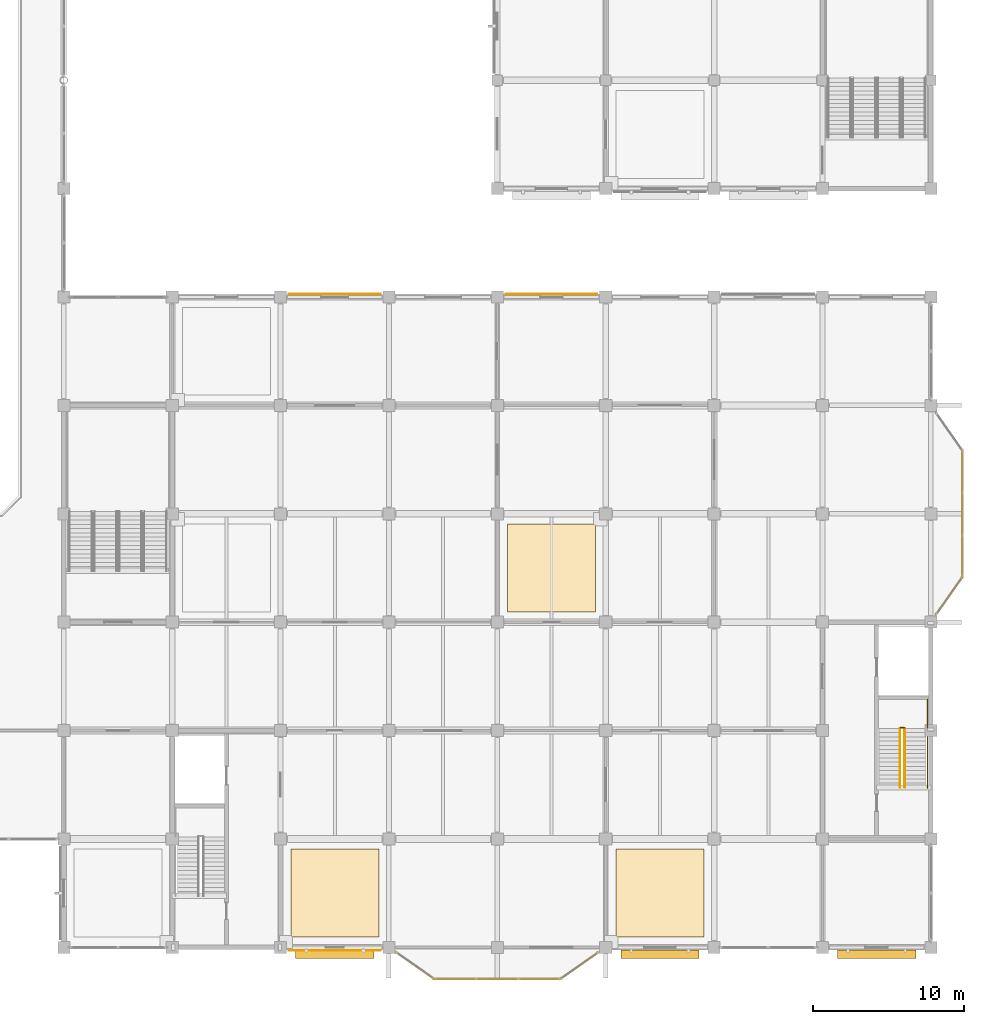
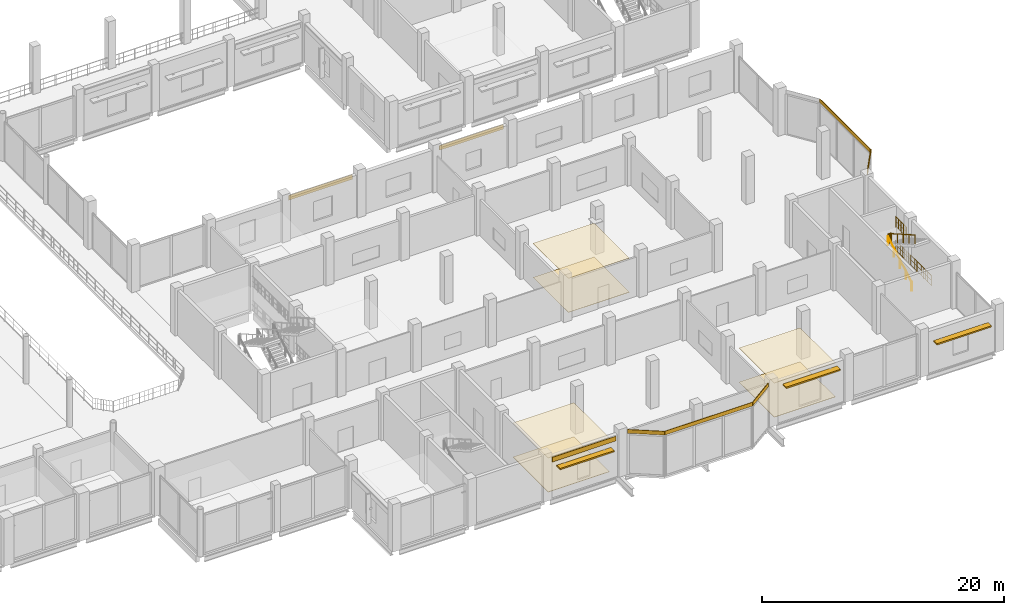
# One storey, part 94 of 99: 14 coverings, 5 railings, 3 shading devices.
"""IFC4 building model written with IfcOpenShell, lengths in metres."""

from ifc_helpers import new_model, si_unit, direction, frame, frame_2d, origin, origin_2d, place, context, subcontext, project, spatial, polyline, rectangle, circle, outline, extrude, material, layer, layer_set, type_object, element, save


model = new_model("IFC4")

# Units and contexts
model_context = context("Model", 3, precision=1e-05, world=origin(), true_north=direction((0.0, 1.0)))
body_context = subcontext(model_context, "Body", "Model", "MODEL_VIEW")
ifc_project = project(units=[si_unit("LENGTHUNIT", "METRE"), si_unit("AREAUNIT", "SQUARE_METRE"), si_unit("VOLUMEUNIT", "CUBIC_METRE"), si_unit("PLANEANGLEUNIT", "RADIAN"), si_unit("MASSUNIT", "GRAM", prefix="KILO")], contexts=[model_context])

# Site, building, storey
site_placement = place(None, origin())
site = spatial("IfcSite", under=ifc_project, at=site_placement, CompositionType="ELEMENT")
building_placement = place(site_placement, origin())
building = spatial("IfcBuilding", under=site, at=building_placement, Name="Vesperath Aquatics Centre", CompositionType="ELEMENT")
storey_placement = place(building_placement, frame((0.0, 0.0, 5.39990234375)))
storey = spatial("IfcBuildingStorey", under=building, at=storey_placement, Name="L01", CompositionType="ELEMENT", Elevation=5.39990234375)

# Coverings
ifc_material_1 = material(Name="Teal and ochre glazed ceramic majolica frieze", Category="ceramic")
ifc_layer_1 = layer(ifc_material_1, 0.0400390625)
ifc_layer_set_1 = layer_set([ifc_layer_1], Name="Teal and ochre glazed ceramic majolica frieze")
covering_type_1 = type_object("IfcCoveringType", Name="CV-CLD01", PredefinedType="CLADDING", material=ifc_layer_set_1)
for number, where, z_axis, x_axis, name in (
    (1, (130.14990234375, -0.199951171875, 3.64013671875), (0.0, 0.0, 1.0), (1.0, 0.0, 0.0), "Majolica Ceramic Frieze CLD1 L01_S_18_00"),
    (2, (130.14990234375, 43.39990234375, 3.64013671875), (0.0, 0.0, 1.0), (1.0, 0.0, 0.0), "Majolica Ceramic Frieze CLD1 L01_N_18_06"),
):
    element("IfcCovering", number, at=place(storey_placement, frame(where, z_axis=z_axis, x_axis=x_axis)), inside=storey, type_object=covering_type_1, Name=name, PredefinedType="CLADDING", context=body_context, shape_type="SweptSolid", body=[
        extrude(rectangle(XDim=6.10009765625, YDim=0.0400390625, at=frame_2d((3.050048828125, 0.0))), origin(), (0.0, 0.0, 1.0), 0.469970703125),
    ])
covering_1_placement = place(storey_placement, frame((144.550048828125, 43.409912109375, 3.64013671875), z_axis=(0.0, 0.0, 1.0), x_axis=(1.0, 0.0, 0.0)))
element("IfcCovering", 3, at=covering_1_placement, inside=storey, type_object=covering_type_1, Name="Majolica Ceramic Frieze CLD1 L01_N_20_06", PredefinedType="CLADDING", context=body_context, shape_type="SweptSolid", body=[
    extrude(rectangle(XDim=6.099853515625, YDim=0.0400390625, at=frame_2d((3.0498046875, 0.0))), origin(), (0.0, 0.0, 1.0), 0.469970703125),
])
covering_2_placement = place(storey_placement, frame((137.280029296875, -0.3359375, 4.14013671875), z_axis=(0.0, 0.0, 1.0), x_axis=(0.819209548444, -0.573494303144, 0.0)))
element("IfcCovering", 4, at=covering_2_placement, inside=storey, type_object=covering_type_1, Name="South Bow Oriel Majolica Frieze CLD1 L01-W", PredefinedType="CLADDING", context=body_context, shape_type="SweptSolid", body=[
    extrude(rectangle(XDim=3.076171875, YDim=0.050048828125, at=frame_2d((1.5380859375, 0.0))), origin(), (0.0, 0.0, 1.0), 0.3798828125),
])
covering_3_placement = place(storey_placement, frame((139.800048828125, -2.10009765625, 4.14013671875), z_axis=(0.0, 0.0, 1.0), x_axis=(1.0, 0.0, 0.0)))
element("IfcCovering", 5, at=covering_3_placement, inside=storey, type_object=covering_type_1, Name="South Bow Oriel Majolica Frieze CLD1 L01-C", PredefinedType="CLADDING", context=body_context, shape_type="SweptSolid", body=[
    extrude(rectangle(XDim=8.39990234375, YDim=0.050048828125, at=frame_2d((4.199951171875, 0.0))), origin(), (0.0, 0.0, 1.0), 0.3798828125),
])
covering_4_placement = place(storey_placement, frame((148.199951171875, -2.10009765625, 4.14013671875), z_axis=(0.0, 0.0, 1.0), x_axis=(0.819209548444, 0.573494303144, 0.0)))
element("IfcCovering", 6, at=covering_4_placement, inside=storey, type_object=covering_type_1, Name="South Bow Oriel Majolica Frieze CLD1 L01-E", PredefinedType="CLADDING", context=body_context, shape_type="SweptSolid", body=[
    extrude(rectangle(XDim=3.076171875, YDim=0.050048828125, at=frame_2d((1.5380859375, 0.0))), origin(), (0.0, 0.0, 1.0), 0.3798828125),
])
covering_5_placement = place(storey_placement, frame((173.135986328125, 22.080078125, 4.14013671875), z_axis=(0.0, 0.0, 1.0), x_axis=(0.573441037055, 0.819246835222, 0.0)))
element("IfcCovering", 7, at=covering_5_placement, inside=storey, type_object=covering_type_1, Name="East Bow Oriel Majolica Frieze CLD1 L01-S", PredefinedType="CLADDING", context=body_context, shape_type="SweptSolid", body=[
    extrude(rectangle(XDim=3.075927734375, YDim=0.050048828125, at=frame_2d((1.5380859375, 0.0))), origin(), (0.0, 0.0, 1.0), 0.3798828125),
])
covering_6_placement = place(storey_placement, frame((174.89990234375, 24.60009765625, 4.14013671875), z_axis=(0.0, 0.0, 1.0), x_axis=(0.0, 1.0, 0.0)))
element("IfcCovering", 8, at=covering_6_placement, inside=storey, type_object=covering_type_1, Name="East Bow Oriel Majolica Frieze CLD1 L01-C", PredefinedType="CLADDING", context=body_context, shape_type="SweptSolid", body=[
    extrude(rectangle(XDim=8.39990234375, YDim=0.050048828125, at=frame_2d((4.199951171875, 0.0))), origin(), (0.0, 0.0, 1.0), 0.3798828125),
])
ifc_material_2 = material(Name="Perforated moisture-resistant acoustic mineral-fibre ceiling", Category="gypsum")
ifc_layer_2 = layer(ifc_material_2, 0.044921875)
ifc_layer_set_2 = layer_set([ifc_layer_2], Name="Perforated moisture-resistant acoustic mineral-fibre ceiling")
covering_type_2 = type_object("IfcCoveringType", Name="CV-CLG01", PredefinedType="CEILING", material=ifc_layer_set_2)
covering_7_placement = place(storey_placement, frame((0.0, 0.0, 3.425048828125)))
element("IfcCovering", 9, at=covering_7_placement, inside=storey, type_object=covering_type_2, Name="Acoustic Suspended Ceiling CLG1 L01_PHYSIO_1", PredefinedType="CEILING", context=body_context, shape_type="SweptSolid", body=[
    extrude(outline(polyline([(130.280029296875, 0.679931640625), (136.1201171875, 0.679931640625), (136.1201171875, 6.52001953125), (130.280029296875, 6.52001953125), (130.280029296875, 0.679931640625)])), origin(), (0.0, 0.0, 1.0), 0.045166015625),
])
covering_8_placement = place(storey_placement, frame((0.0, 0.0, 3.425048828125)))
element("IfcCovering", 10, at=covering_8_placement, inside=storey, type_object=covering_type_2, Name="Acoustic Suspended Ceiling CLG1 L01_PHYSIO_2", PredefinedType="CEILING", context=body_context, shape_type="SweptSolid", body=[
    extrude(outline(polyline([(151.8798828125, 0.679931640625), (157.719970703125, 0.679931640625), (157.719970703125, 6.52001953125), (151.8798828125, 6.52001953125), (151.8798828125, 0.679931640625)])), origin(), (0.0, 0.0, 1.0), 0.045166015625),
])
covering_9_placement = place(storey_placement, frame((0.0, 0.0, 3.425048828125)))
element("IfcCovering", 11, at=covering_9_placement, inside=storey, type_object=covering_type_2, Name="Acoustic Suspended Ceiling CLG1 L01_TEACH_2", PredefinedType="CEILING", context=body_context, shape_type="SweptSolid", body=[
    extrude(outline(polyline([(144.679931640625, 22.280029296875), (150.52001953125, 22.280029296875), (150.52001953125, 28.1201171875), (144.679931640625, 28.1201171875), (144.679931640625, 22.280029296875)])), origin(), (0.0, 0.0, 1.0), 0.045166015625),
])
ifc_material_3 = material(Name="Slip-resistant vitrified ceramic and terrazzo flooring", Category="ceramic")
ifc_layer_3 = layer(ifc_material_3, 0.030029296875)
ifc_layer_set_3 = layer_set([ifc_layer_3], Name="Slip-resistant vitrified ceramic and terrazzo flooring")
covering_type_3 = type_object("IfcCoveringType", Name="CV-FLR01", PredefinedType="FLOORING", material=ifc_layer_set_3)
covering_10_placement = place(storey_placement, origin())
element("IfcCovering", 12, at=covering_10_placement, inside=storey, type_object=covering_type_3, Name="Slip-Resistant Floor Finish FLR1 L01_PHYSIO_1", PredefinedType="FLOORING", context=body_context, shape_type="SweptSolid", body=[
    extrude(outline(polyline([(130.280029296875, 0.679931640625), (136.1201171875, 0.679931640625), (136.1201171875, 6.52001953125), (130.280029296875, 6.52001953125), (130.280029296875, 0.679931640625)])), origin(), (0.0, 0.0, 1.0), 0.030029296875),
])
covering_11_placement = place(storey_placement, origin())
element("IfcCovering", 13, at=covering_11_placement, inside=storey, type_object=covering_type_3, Name="Slip-Resistant Floor Finish FLR1 L01_PHYSIO_2", PredefinedType="FLOORING", context=body_context, shape_type="SweptSolid", body=[
    extrude(outline(polyline([(151.8798828125, 0.679931640625), (157.719970703125, 0.679931640625), (157.719970703125, 6.52001953125), (151.8798828125, 6.52001953125), (151.8798828125, 0.679931640625)])), origin(), (0.0, 0.0, 1.0), 0.030029296875),
])
covering_12_placement = place(storey_placement, origin())
element("IfcCovering", 14, at=covering_12_placement, inside=storey, type_object=covering_type_3, Name="Slip-Resistant Floor Finish FLR1 L01_TEACH_2", PredefinedType="FLOORING", context=body_context, shape_type="SweptSolid", body=[
    extrude(outline(polyline([(144.679931640625, 22.280029296875), (150.52001953125, 22.280029296875), (150.52001953125, 28.1201171875), (144.679931640625, 28.1201171875), (144.679931640625, 22.280029296875)])), origin(), (0.0, 0.0, 1.0), 0.030029296875),
])

# Railings
ifc_material_4 = material(Name="Powder-coated galvanized steel safety guard", Category="steel")
railing_type_1 = type_object("IfcRailingType", Name="RL-GRD01", PredefinedType="GUARDRAIL", material=ifc_material_4)
railing_1_placement = place(storey_placement, frame((170.780029296875, 14.580078125, 2.400146484375)))
element("IfcRailing", 15, at=railing_1_placement, inside=storey, type_object=railing_type_1, Name="Stair ST6 Half-Landing Slot Guard GR02 L01", PredefinedType="GUARDRAIL", context=body_context, shape_type="SweptSolid", body=[
    extrude(circle(Radius=0.02392578125, at=origin_2d()), frame((0.0, 0.0, 1.0859375), z_axis=(1.0, 0.0, 0.0), x_axis=(0.0, 1.0, 0.0)), (0.0, 0.0, 1.0), 0.260009765625),
    extrude(circle(Radius=0.01611328125, at=origin_2d()), frame((0.0, 0.0, 0.10009765625), z_axis=(1.0, 0.0, 0.0), x_axis=(0.0, 1.0, 0.0)), (0.0, 0.0, 1.0), 0.260009765625),
    extrude(circle(Radius=0.01611328125, at=origin_2d()), frame((0.0, 0.0, 0.610595703125), z_axis=(1.0, 0.0, 0.0), x_axis=(0.0, 1.0, 0.0)), (0.0, 0.0, 1.0), 0.260009765625),
    extrude(circle(Radius=0.009033203125, at=origin_2d()), frame((0.086669921875, 0.0, 0.10009765625)), (0.0, 0.0, 1.0), 0.9619140625),
    extrude(circle(Radius=0.009033203125, at=origin_2d()), frame((0.17333984375, 0.0, 0.10009765625)), (0.0, 0.0, 1.0), 0.9619140625),
    extrude(circle(Radius=0.02197265625, at=origin_2d()), origin(), (0.0, 0.0, 1.0), 1.0859375),
    extrude(circle(Radius=0.02197265625, at=origin_2d()), frame((0.260009765625, 0.0, 0.0)), (0.0, 0.0, 1.0), 1.0859375),
])
railing_2_placement = place(storey_placement, frame((172.580078125, 14.580078125, 2.400146484375)))
element("IfcRailing", 16, at=railing_2_placement, inside=storey, type_object=railing_type_1, Name="Stair ST6 Half-Landing Wall Guard GR02 L01", PredefinedType="GUARDRAIL", context=body_context, shape_type="SweptSolid", body=[
    extrude(circle(Radius=0.02392578125, at=origin_2d()), frame((0.0, 0.0, 1.0859375), z_axis=(0.0, 1.0, 0.0), x_axis=(-1.0, 0.0, 0.0)), (0.0, 0.0, 1.0), 1.8798828125),
    extrude(circle(Radius=0.01611328125, at=origin_2d()), frame((0.0, 0.0, 0.10009765625), z_axis=(0.0, 1.0, 0.0), x_axis=(-1.0, 0.0, 0.0)), (0.0, 0.0, 1.0), 1.8798828125),
    extrude(circle(Radius=0.01611328125, at=origin_2d()), frame((0.0, 0.0, 0.610595703125), z_axis=(0.0, 1.0, 0.0), x_axis=(-1.0, 0.0, 0.0)), (0.0, 0.0, 1.0), 1.8798828125),
    extrude(circle(Radius=0.009033203125, at=origin_2d()), frame((0.0, 0.1044921875, 0.10009765625)), (0.0, 0.0, 1.0), 0.9619140625),
    extrude(circle(Radius=0.009033203125, at=origin_2d()), frame((0.0, 0.208984375, 0.10009765625)), (0.0, 0.0, 1.0), 0.9619140625),
    extrude(circle(Radius=0.009033203125, at=origin_2d()), frame((0.0, 0.313232421875, 0.10009765625)), (0.0, 0.0, 1.0), 0.9619140625),
    extrude(circle(Radius=0.009033203125, at=origin_2d()), frame((0.0, 0.417724609375, 0.10009765625)), (0.0, 0.0, 1.0), 0.9619140625),
    extrude(circle(Radius=0.009033203125, at=origin_2d()), frame((0.0, 0.522216796875, 0.10009765625)), (0.0, 0.0, 1.0), 0.9619140625),
    extrude(circle(Radius=0.009033203125, at=origin_2d()), frame((0.0, 0.626708984375, 0.10009765625)), (0.0, 0.0, 1.0), 0.9619140625),
    extrude(circle(Radius=0.009033203125, at=origin_2d()), frame((0.0, 0.73095703125, 0.10009765625)), (0.0, 0.0, 1.0), 0.9619140625),
    extrude(circle(Radius=0.009033203125, at=origin_2d()), frame((0.0, 0.83544921875, 0.10009765625)), (0.0, 0.0, 1.0), 0.9619140625),
    extrude(circle(Radius=0.009033203125, at=origin_2d()), frame((0.0, 0.93994140625, 0.10009765625)), (0.0, 0.0, 1.0), 0.9619140625),
    extrude(circle(Radius=0.009033203125, at=origin_2d()), frame((0.0, 1.04443359375, 0.10009765625)), (0.0, 0.0, 1.0), 0.9619140625),
    extrude(circle(Radius=0.009033203125, at=origin_2d()), frame((0.0, 1.14892578125, 0.10009765625)), (0.0, 0.0, 1.0), 0.9619140625),
    extrude(circle(Radius=0.009033203125, at=origin_2d()), frame((0.0, 1.253173828125, 0.10009765625)), (0.0, 0.0, 1.0), 0.9619140625),
    extrude(circle(Radius=0.009033203125, at=origin_2d()), frame((0.0, 1.357666015625, 0.10009765625)), (0.0, 0.0, 1.0), 0.9619140625),
    extrude(circle(Radius=0.009033203125, at=origin_2d()), frame((0.0, 1.462158203125, 0.10009765625)), (0.0, 0.0, 1.0), 0.9619140625),
    extrude(circle(Radius=0.009033203125, at=origin_2d()), frame((0.0, 1.566650390625, 0.10009765625)), (0.0, 0.0, 1.0), 0.9619140625),
    extrude(circle(Radius=0.009033203125, at=origin_2d()), frame((0.0, 1.6708984375, 0.10009765625)), (0.0, 0.0, 1.0), 0.9619140625),
    extrude(circle(Radius=0.009033203125, at=origin_2d()), frame((0.0, 1.775390625, 0.10009765625)), (0.0, 0.0, 1.0), 0.9619140625),
    extrude(circle(Radius=0.02197265625, at=origin_2d()), origin(), (0.0, 0.0, 1.0), 1.0859375),
    extrude(circle(Radius=0.02197265625, at=origin_2d()), frame((0.0, 0.93994140625, 0.0)), (0.0, 0.0, 1.0), 1.0859375),
    extrude(circle(Radius=0.02197265625, at=origin_2d()), frame((0.0, 1.8798828125, 0.0)), (0.0, 0.0, 1.0), 1.0859375),
])
railing_3_placement = place(storey_placement, frame((172.580078125, 10.60009765625, 0.0)))
element("IfcRailing", 17, at=railing_3_placement, inside=storey, type_object=railing_type_1, Name="Stair ST6 Shaft Side Guard GR02 L01", PredefinedType="GUARDRAIL", context=body_context, shape_type="SweptSolid", body=[
    extrude(circle(Radius=0.02392578125, at=origin_2d()), frame((0.0, 0.0, 1.0859375), z_axis=(0.0, 1.0, 0.0), x_axis=(-1.0, 0.0, 0.0)), (0.0, 0.0, 1.0), 5.83984375),
    extrude(circle(Radius=0.01611328125, at=origin_2d()), frame((0.0, 0.0, 0.10009765625), z_axis=(0.0, 1.0, 0.0), x_axis=(-1.0, 0.0, 0.0)), (0.0, 0.0, 1.0), 5.83984375),
    extrude(circle(Radius=0.01611328125, at=origin_2d()), frame((0.0, 0.0, 0.610595703125), z_axis=(0.0, 1.0, 0.0), x_axis=(-1.0, 0.0, 0.0)), (0.0, 0.0, 1.0), 5.83984375),
    extrude(circle(Radius=0.009033203125, at=origin_2d()), frame((0.0, 0.108154296875, 0.10009765625)), (0.0, 0.0, 1.0), 0.9619140625),
    extrude(circle(Radius=0.009033203125, at=origin_2d()), frame((0.0, 0.324462890625, 0.10009765625)), (0.0, 0.0, 1.0), 0.9619140625),
    extrude(circle(Radius=0.009033203125, at=origin_2d()), frame((0.0, 0.540771484375, 0.10009765625)), (0.0, 0.0, 1.0), 0.9619140625),
    extrude(circle(Radius=0.009033203125, at=origin_2d()), frame((0.0, 0.757080078125, 0.10009765625)), (0.0, 0.0, 1.0), 0.9619140625),
    extrude(circle(Radius=0.009033203125, at=origin_2d()), frame((0.0, 0.973388671875, 0.10009765625)), (0.0, 0.0, 1.0), 0.9619140625),
    extrude(circle(Radius=0.009033203125, at=origin_2d()), frame((0.0, 1.189697265625, 0.10009765625)), (0.0, 0.0, 1.0), 0.9619140625),
    extrude(circle(Radius=0.009033203125, at=origin_2d()), frame((0.0, 1.406005859375, 0.10009765625)), (0.0, 0.0, 1.0), 0.9619140625),
    extrude(circle(Radius=0.009033203125, at=origin_2d()), frame((0.0, 1.6220703125, 0.10009765625)), (0.0, 0.0, 1.0), 0.9619140625),
    extrude(circle(Radius=0.009033203125, at=origin_2d()), frame((0.0, 1.83837890625, 0.10009765625)), (0.0, 0.0, 1.0), 0.9619140625),
    extrude(circle(Radius=0.009033203125, at=origin_2d()), frame((0.0, 2.0546875, 0.10009765625)), (0.0, 0.0, 1.0), 0.9619140625),
    extrude(circle(Radius=0.009033203125, at=origin_2d()), frame((0.0, 2.27099609375, 0.10009765625)), (0.0, 0.0, 1.0), 0.9619140625),
    extrude(circle(Radius=0.009033203125, at=origin_2d()), frame((0.0, 2.4873046875, 0.10009765625)), (0.0, 0.0, 1.0), 0.9619140625),
    extrude(circle(Radius=0.009033203125, at=origin_2d()), frame((0.0, 2.70361328125, 0.10009765625)), (0.0, 0.0, 1.0), 0.9619140625),
    extrude(circle(Radius=0.009033203125, at=origin_2d()), frame((0.0, 2.919921875, 0.10009765625)), (0.0, 0.0, 1.0), 0.9619140625),
    extrude(circle(Radius=0.009033203125, at=origin_2d()), frame((0.0, 3.13623046875, 0.10009765625)), (0.0, 0.0, 1.0), 0.9619140625),
    extrude(circle(Radius=0.009033203125, at=origin_2d()), frame((0.0, 3.3525390625, 0.10009765625)), (0.0, 0.0, 1.0), 0.9619140625),
    extrude(circle(Radius=0.009033203125, at=origin_2d()), frame((0.0, 3.56884765625, 0.10009765625)), (0.0, 0.0, 1.0), 0.9619140625),
    extrude(circle(Radius=0.009033203125, at=origin_2d()), frame((0.0, 3.78515625, 0.10009765625)), (0.0, 0.0, 1.0), 0.9619140625),
    extrude(circle(Radius=0.009033203125, at=origin_2d()), frame((0.0, 4.00146484375, 0.10009765625)), (0.0, 0.0, 1.0), 0.9619140625),
    extrude(circle(Radius=0.009033203125, at=origin_2d()), frame((0.0, 4.2177734375, 0.10009765625)), (0.0, 0.0, 1.0), 0.9619140625),
    extrude(circle(Radius=0.009033203125, at=origin_2d()), frame((0.0, 4.433837890625, 0.10009765625)), (0.0, 0.0, 1.0), 0.9619140625),
    extrude(circle(Radius=0.009033203125, at=origin_2d()), frame((0.0, 4.650146484375, 0.10009765625)), (0.0, 0.0, 1.0), 0.9619140625),
    extrude(circle(Radius=0.009033203125, at=origin_2d()), frame((0.0, 4.866455078125, 0.10009765625)), (0.0, 0.0, 1.0), 0.9619140625),
    extrude(circle(Radius=0.009033203125, at=origin_2d()), frame((0.0, 5.082763671875, 0.10009765625)), (0.0, 0.0, 1.0), 0.9619140625),
    extrude(circle(Radius=0.009033203125, at=origin_2d()), frame((0.0, 5.299072265625, 0.10009765625)), (0.0, 0.0, 1.0), 0.9619140625),
    extrude(circle(Radius=0.009033203125, at=origin_2d()), frame((0.0, 5.515380859375, 0.10009765625)), (0.0, 0.0, 1.0), 0.9619140625),
    extrude(circle(Radius=0.009033203125, at=origin_2d()), frame((0.0, 5.731689453125, 0.10009765625)), (0.0, 0.0, 1.0), 0.9619140625),
    extrude(circle(Radius=0.02197265625, at=origin_2d()), origin(), (0.0, 0.0, 1.0), 1.0859375),
    extrude(circle(Radius=0.02197265625, at=origin_2d()), frame((0.0, 1.16796875, 0.0)), (0.0, 0.0, 1.0), 1.0859375),
    extrude(circle(Radius=0.02197265625, at=origin_2d()), frame((0.0, 2.3359375, 0.0)), (0.0, 0.0, 1.0), 1.0859375),
    extrude(circle(Radius=0.02197265625, at=origin_2d()), frame((0.0, 3.50390625, 0.0)), (0.0, 0.0, 1.0), 1.0859375),
    extrude(circle(Radius=0.02197265625, at=origin_2d()), frame((0.0, 4.671875, 0.0)), (0.0, 0.0, 1.0), 1.0859375),
    extrude(circle(Radius=0.02197265625, at=origin_2d()), frame((0.0, 5.83984375, 0.0)), (0.0, 0.0, 1.0), 1.0859375),
])
ifc_material_5 = material(Name="Brushed stainless steel tubular handrail", Category="steel")
railing_type_2 = type_object("IfcRailingType", Name="RL-HND01", PredefinedType="HANDRAIL", material=ifc_material_5)
railing_4_placement = place(storey_placement, frame((170.75, 10.6201171875, 0.16015625)))
element("IfcRailing", 18, at=railing_4_placement, inside=storey, type_object=railing_type_2, Name="Stair ST6 Flight 1 Handrail HR01 L01", PredefinedType="HANDRAIL", context=body_context, shape_type="SweptSolid", body=[
    extrude(circle(Radius=0.02392578125, at=origin_2d()), frame((0.0, 0.0, 0.8759765625), z_axis=(0.0, 0.868239814368, 0.496144761885), x_axis=(-1.0, 0.0, 0.0)), (0.0, 0.0, 1.0), 4.514892578125),
    extrude(circle(Radius=0.02197265625, at=origin_2d()), origin(), (0.0, 0.0, 1.0), 0.8759765625),
    extrude(circle(Radius=0.02197265625, at=origin_2d()), frame((0.0, 0.97998046875, 0.56005859375)), (0.0, 0.0, 1.0), 0.8759765625),
    extrude(circle(Radius=0.02197265625, at=origin_2d()), frame((0.0, 1.9599609375, 1.1201171875)), (0.0, 0.0, 1.0), 0.8759765625),
    extrude(circle(Radius=0.02197265625, at=origin_2d()), frame((0.0, 2.93994140625, 1.679931640625)), (0.0, 0.0, 1.0), 0.8759765625),
    extrude(circle(Radius=0.02197265625, at=origin_2d()), frame((0.0, 3.919921875, 2.239990234375)), (0.0, 0.0, 1.0), 0.8759765625),
])
railing_5_placement = place(storey_placement, frame((171.070068359375, 14.5400390625, 2.56005859375)))
element("IfcRailing", 19, at=railing_5_placement, inside=storey, type_object=railing_type_2, Name="Stair ST6 Flight 2 Handrail HR01 L01", PredefinedType="HANDRAIL", context=body_context, shape_type="SweptSolid", body=[
    extrude(circle(Radius=0.02392578125, at=origin_2d()), frame((0.0, 0.0, 0.8759765625), z_axis=(0.0, -0.868239814368, 0.496144761885), x_axis=(1.0, 0.0, 0.0)), (0.0, 0.0, 1.0), 4.514892578125),
    extrude(circle(Radius=0.02197265625, at=origin_2d()), origin(), (0.0, 0.0, 1.0), 0.8759765625),
    extrude(circle(Radius=0.02197265625, at=origin_2d()), frame((0.0, -0.97998046875, 0.56005859375)), (0.0, 0.0, 1.0), 0.8759765625),
    extrude(circle(Radius=0.02197265625, at=origin_2d()), frame((0.0, -1.9599609375, 1.1201171875)), (0.0, 0.0, 1.0), 0.8759765625),
    extrude(circle(Radius=0.02197265625, at=origin_2d()), frame((0.0, -2.93994140625, 1.679931640625)), (0.0, 0.0, 1.0), 0.8759765625),
    extrude(circle(Radius=0.02197265625, at=origin_2d()), frame((0.0, -3.919921875, 2.239990234375)), (0.0, 0.0, 1.0), 0.8759765625),
])

# Shading devices
ifc_material_6 = material(Name="Anodised bronze aluminium solar brise-soleil", Category="aluminium")
shading_device_type = type_object("IfcShadingDeviceType", Name="SH-LVR01", PredefinedType="JALOUSIE", material=ifc_material_6)
for number, where, z_axis, x_axis, name in (
    (20, (133.199951171875, -0.455078125, 3.0), (0.0, 0.0, 1.0), (1.0, 0.0, 0.0), "Bronze Solar Brise-Soleil LV01 L01_S_18_00"),
    (21, (154.800048828125, -0.455078125, 3.650390625), (0.0, 0.0, 1.0), (1.0, 0.0, 0.0), "Bronze Solar Brise-Soleil LV01 L01_S_21_00"),
    (22, (169.199951171875, -0.465087890625, 3.0), (0.0, 0.0, 1.0), (1.0, 0.0, 0.0), "Bronze Solar Brise-Soleil LV01 L01_S_23_00"),
):
    element("IfcShadingDevice", number, at=place(storey_placement, frame(where, z_axis=z_axis, x_axis=x_axis)), inside=storey, type_object=shading_device_type, Name=name, PredefinedType="JALOUSIE", context=body_context, shape_type="SweptSolid", body=[
        extrude(rectangle(XDim=5.199951171875, YDim=0.550048828125, at=origin_2d()), origin(), (0.0, 0.0, 1.0), 0.139892578125),
    ])

save(model, "model.ifc")
